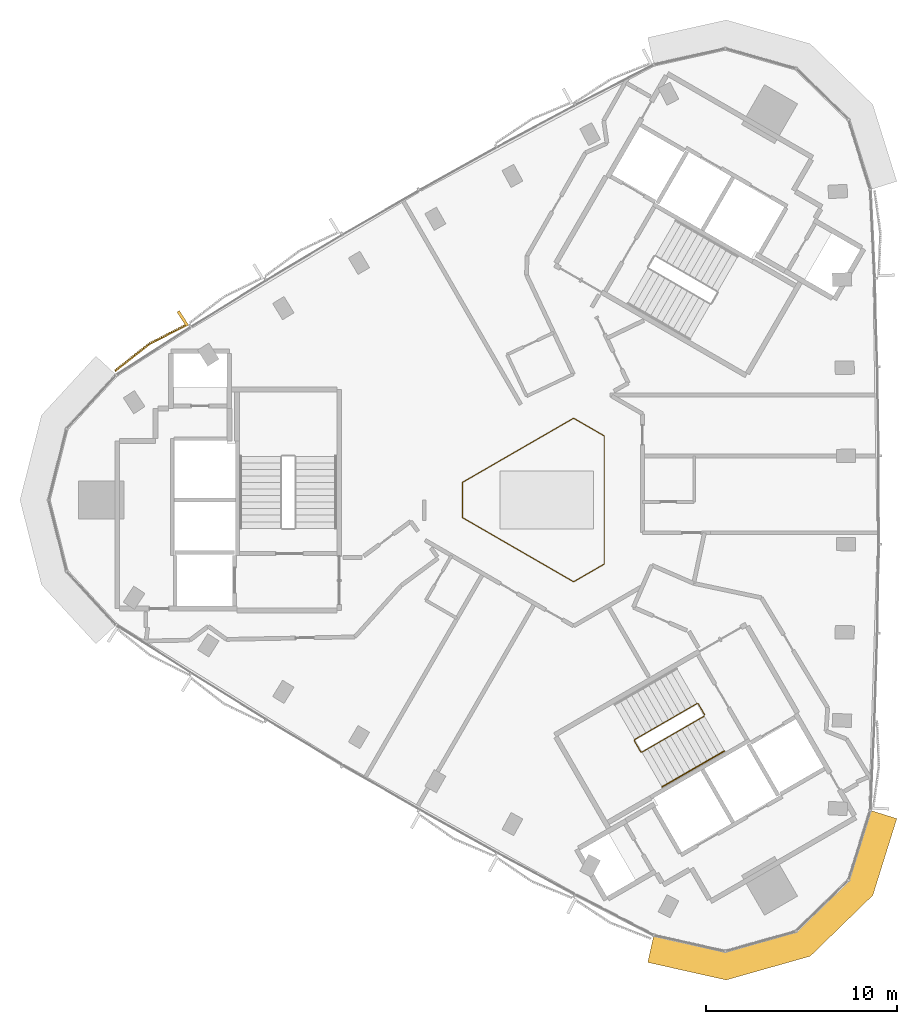
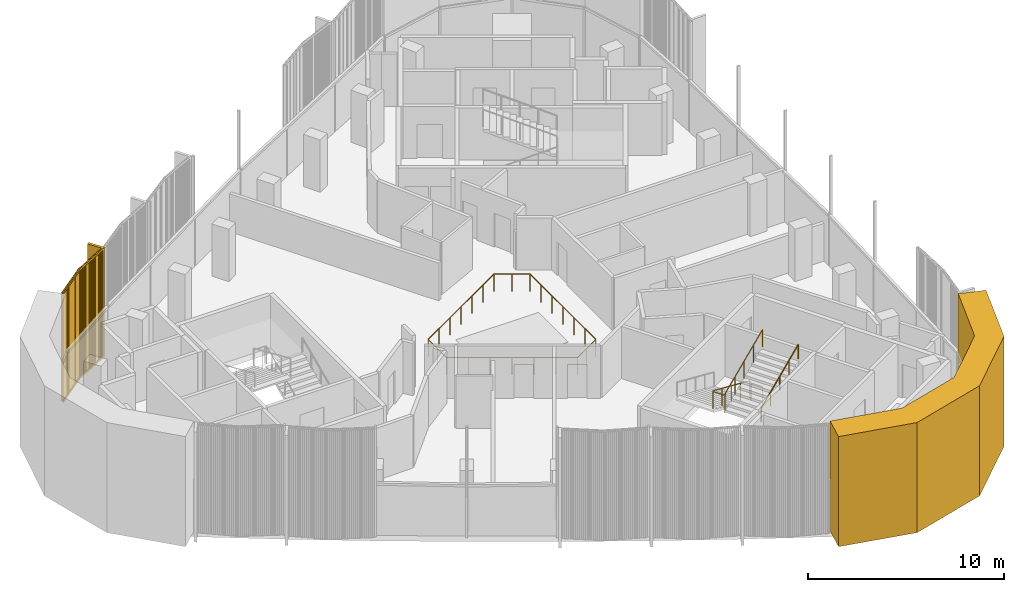
# One storey, part 11 of 12: 3 railings, 2 coverings.
"""IFC4 building model written with IfcOpenShell, lengths in metres."""

import ifcopenshell
import ifcopenshell.guid

model = None  # the IFC model being written
_history = None  # IfcOwnerHistory: only IFC2X3 demands one
_inside = {}  # id of a spatial element -> (the spatial element, [elements in it])
_under = {}  # id of a project, library or spatial element -> (it, [spatial elements below it])
_declared = {}  # id of a project -> (the project, [libraries it declares])
_typed = {}  # id of a type object -> (the type object, [elements of that type])
_made_of = {}  # id of a material, layer set ... -> (it, [elements and type objects made of it])


def new_model(schema):
    """Start an empty IFC model of exactly this schema.

    Asked for "IFC4X3", IfcOpenShell would pick the latest addendum, in which some entities
    have other attributes; the version numbers below select the first issue.
    IFC2X3 requires an IfcOwnerHistory on every rooted entity: one is made here for all.
    """
    global model, _history
    if schema == "IFC4X3":
        model = ifcopenshell.file(schema_version=(4, 3, 0, 0))
    else:
        model = ifcopenshell.file(schema=schema)
    _inside.clear()
    _under.clear()
    _declared.clear()
    _typed.clear()
    _made_of.clear()
    _history = None
    if model.schema == "IFC2X3":
        org = make("IfcOrganization", Name="unknown")
        user = make(
            "IfcPersonAndOrganization",
            ThePerson=make("IfcPerson", FamilyName="unknown"),
            TheOrganization=org,
        )
        app = make(
            "IfcApplication",
            ApplicationDeveloper=org,
            Version="unknown",
            ApplicationFullName="unknown",
            ApplicationIdentifier="unknown",
        )
        _history = make(
            "IfcOwnerHistory",
            OwningUser=user,
            OwningApplication=app,
            ChangeAction="ADDED",
            CreationDate=0,
        )
    return model


def make(cls, **values):
    """One entity of the class cls with the attributes given. An attribute that is None is left unset."""
    return model.create_entity(
        cls, **{name: value for name, value in values.items() if value is not None}
    )


def rooted(cls, **values):
    """An entity with a GlobalId (a new one), such as an element, a storey or a relation."""
    return make(cls, GlobalId=ifcopenshell.guid.new(), OwnerHistory=_history, **values)


def si_unit(unit_type, name, prefix=None):
    """IfcSIUnit, for example si_unit("LENGTHUNIT", "METRE", prefix="MILLI")."""
    return make("IfcSIUnit", UnitType=unit_type, Prefix=prefix, Name=name)


def assignment(units):
    """IfcUnitAssignment: the units of a project."""
    return None if units is None else make("IfcUnitAssignment", Units=units)


def point(xyz):
    """IfcCartesianPoint."""
    return None if xyz is None else make("IfcCartesianPoint", Coordinates=xyz)


def direction(xyz):
    """IfcDirection."""
    return None if xyz is None else make("IfcDirection", DirectionRatios=xyz)


def frame(location, z_axis=None, x_axis=None):
    """IfcAxis2Placement3D, a coordinate frame: its origin and axes. An axis left out is left unset."""
    return make(
        "IfcAxis2Placement3D",
        Location=point(location),
        Axis=direction(z_axis),
        RefDirection=direction(x_axis),
    )


def frame_2d(location, x_axis=None):
    """IfcAxis2Placement2D, a coordinate frame in the plane: its origin and x axis."""
    return make(
        "IfcAxis2Placement2D", Location=point(location), RefDirection=direction(x_axis)
    )


def origin():
    """The frame at (0, 0, 0) with its axes left unset."""
    return frame((0.0, 0.0, 0.0))


def origin_2d():
    """The frame at (0, 0) in the plane with its x axis left unset."""
    return frame_2d((0.0, 0.0))


def place(relative_to, where):
    """IfcLocalPlacement: puts the frame where relative to a parent placement (None: the world)."""
    return make(
        "IfcLocalPlacement", PlacementRelTo=relative_to, RelativePlacement=where
    )


def context(
    kind, dimensions, precision=None, world=None, true_north=None, identifier=None
):
    """IfcGeometricRepresentationContext, for example the 3D "Model" context."""
    return make(
        "IfcGeometricRepresentationContext",
        ContextIdentifier=identifier,
        ContextType=kind,
        CoordinateSpaceDimension=dimensions,
        Precision=precision,
        WorldCoordinateSystem=world,
        TrueNorth=true_north,
    )


def subcontext(parent, identifier, kind, view, scale=None):
    """IfcGeometricRepresentationSubContext, for example "Body" below "Model"."""
    return make(
        "IfcGeometricRepresentationSubContext",
        ContextIdentifier=identifier,
        ContextType=kind,
        ParentContext=parent,
        TargetScale=scale,
        TargetView=view,
    )


def project(units=None, contexts=None):
    """IfcProject with its units and contexts."""
    return rooted(
        "IfcProject",
        Name="project",
        RepresentationContexts=contexts,
        UnitsInContext=assignment(units),
    )


def spatial(cls, under=None, at=None, **own):
    """A site, building, storey or space (cls), placed at a placement, below another one or the project."""
    s = rooted(cls, ObjectPlacement=at, **own)
    if under is not None:
        _under.setdefault(under.id(), (under, []))[1].append(s)
    return s


def polyline(points):
    """IfcPolyline through the points."""
    return make("IfcPolyline", Points=[point(p) for p in points])


def profile(cls, at=None, kind="AREA", **sizes):
    """A parametric profile (cls). Its sizes go by their IFC names, for example OverallWidth=200.0."""
    return make(cls, ProfileType=kind, Position=at, **sizes)


def rectangle(**sizes):
    """IfcRectangleProfileDef."""
    return profile("IfcRectangleProfileDef", **sizes)


def circle(**sizes):
    """IfcCircleProfileDef."""
    return profile("IfcCircleProfileDef", **sizes)


def outline(outer, holes=None, kind="AREA"):
    """IfcArbitraryClosedProfileDef: a profile drawn as a closed curve; with holes, ...WithVoids."""
    if holes is None:
        return make("IfcArbitraryClosedProfileDef", ProfileType=kind, OuterCurve=outer)
    return make(
        "IfcArbitraryProfileDefWithVoids",
        ProfileType=kind,
        OuterCurve=outer,
        InnerCurves=holes,
    )


def extrude(swept, where, along, depth):
    """IfcExtrudedAreaSolid: the profile swept, set in the frame where, extruded along a direction by depth."""
    return make(
        "IfcExtrudedAreaSolid",
        SweptArea=swept,
        Position=where,
        ExtrudedDirection=direction(along),
        Depth=depth,
    )


def shape(context_of_items, identifier, shape_type, items):
    """IfcShapeRepresentation: the items that make up one representation, for example the "Body"."""
    return make(
        "IfcShapeRepresentation",
        ContextOfItems=context_of_items,
        RepresentationIdentifier=identifier,
        RepresentationType=shape_type,
        Items=items,
    )


def source(mapping_origin, context_of_items, identifier, shape_type, items):
    """IfcRepresentationMap: a shape defined once, which mapped items show again and again."""
    return make(
        "IfcRepresentationMap",
        MappingOrigin=mapping_origin,
        MappedRepresentation=shape(context_of_items, identifier, shape_type, items),
    )


def transform(
    local_origin,
    x_axis=None,
    y_axis=None,
    z_axis=None,
    scale=None,
    scale2=None,
    scale3=None,
    uniform=True,
):
    """IfcCartesianTransformationOperator3D, or its non-uniform kind. x_axis, y_axis, z_axis: its Axis1, 2, 3."""
    if uniform:
        return make(
            "IfcCartesianTransformationOperator3D",
            Axis1=direction(x_axis),
            Axis2=direction(y_axis),
            LocalOrigin=point(local_origin),
            Scale=scale,
            Axis3=direction(z_axis),
        )
    return make(
        "IfcCartesianTransformationOperator3DnonUniform",
        Axis1=direction(x_axis),
        Axis2=direction(y_axis),
        LocalOrigin=point(local_origin),
        Scale=scale,
        Axis3=direction(z_axis),
        Scale2=scale2,
        Scale3=scale3,
    )


def mapped(mapping_source, mapping_target):
    """IfcMappedItem: shows the shape of a source again, moved by a transform."""
    return make(
        "IfcMappedItem", MappingSource=mapping_source, MappingTarget=mapping_target
    )


def material(Name=None, Category=None):
    """IfcMaterial."""
    return make("IfcMaterial", Name=Name, Category=Category)


def layer(
    of_material, thickness, ventilated=None, Name=None, Category=None, Priority=None
):
    """IfcMaterialLayer: one layer of a wall or slab, of a material (None: an air gap)."""
    return make(
        "IfcMaterialLayer",
        Material=of_material,
        LayerThickness=thickness,
        IsVentilated=ventilated,
        Name=Name,
        Category=Category,
        Priority=Priority,
    )


def layer_set(layers, Name=None):
    """IfcMaterialLayerSet."""
    return make("IfcMaterialLayerSet", MaterialLayers=layers, LayerSetName=Name)


def made_of(thing, what):
    """Note that an element or type object is made of a material, layer set ...; save() writes the relation."""
    if what is not None:
        _made_of.setdefault(what.id(), (what, []))[1].append(thing)
    return thing


def type_object(cls, material=None, **own):
    """A type object (cls), such as IfcWallType, which elements share."""
    return made_of(rooted(cls, **own), material)


def element(
    cls,
    number,
    at=None,
    inside=None,
    cuts=None,
    type_object=None,
    material=None,
    context=None,
    identifier="Body",
    shape_type=None,
    held_by="IfcProductDefinitionShape",
    body=None,
    shapes=None,
    **own,
):
    """One element of the class cls, such as IfcWall. Its Tag is "e" and its number.

    at: its placement. inside: the storey or other place that contains it. cuts: it is an
    opening in that element (IfcRelVoidsElement). A single representation is given by context,
    identifier, shape_type and body (its items); several are given by shapes. held_by: the class
    of the entity that holds the representations. save() writes the other relations.
    """
    e = rooted(cls, Tag="e%d" % number, ObjectPlacement=at, **own)
    if body is not None:
        shapes = [shape(context, identifier, shape_type, body)]
    if shapes is not None:
        e.Representation = make(held_by, Representations=shapes)
    if inside is not None:
        _inside.setdefault(inside.id(), (inside, []))[1].append(e)
    if cuts is not None:
        rooted(
            "IfcRelVoidsElement", RelatingBuildingElement=cuts, RelatedOpeningElement=e
        )
    if type_object is not None:
        _typed.setdefault(type_object.id(), (type_object, []))[1].append(e)
    return made_of(e, material)


def aggregate(whole, parts):
    """IfcRelAggregates: a whole, such as a stair, and the parts it consists of."""
    return rooted("IfcRelAggregates", RelatingObject=whole, RelatedObjects=parts)


def save(model, path):
    """Write the relations noted so far, then the file.

    IfcRelAggregates (storeys below a building ...), IfcRelContainedInSpatialStructure (elements
    in a storey), IfcRelDefinesByType, IfcRelAssociatesMaterial and IfcRelDeclares: one each for
    every whole, place, type object, material and project.
    """
    for whole, parts in _under.values():
        aggregate(whole, parts)
    for where, things in _inside.values():
        rooted(
            "IfcRelContainedInSpatialStructure",
            RelatedElements=things,
            RelatingStructure=where,
        )
    for kind, things in _typed.values():
        rooted("IfcRelDefinesByType", RelatedObjects=things, RelatingType=kind)
    for what, things in _made_of.values():
        rooted("IfcRelAssociatesMaterial", RelatedObjects=things, RelatingMaterial=what)
    for by, libraries in _declared.values():
        rooted("IfcRelDeclares", RelatingContext=by, RelatedDefinitions=libraries)
    model.write(path)


model = new_model("IFC4")

# Units and contexts
model_context = context("Model", 3, precision=1e-05, world=origin(), true_north=direction((0.0, 1.0)))
body_context = subcontext(model_context, "Body", "Model", "MODEL_VIEW")
ifc_project = project(units=[si_unit("LENGTHUNIT", "METRE"), si_unit("AREAUNIT", "SQUARE_METRE"), si_unit("VOLUMEUNIT", "CUBIC_METRE"), si_unit("PLANEANGLEUNIT", "RADIAN"), si_unit("MASSUNIT", "GRAM", prefix="KILO")], contexts=[model_context])

# Site, building, storey
site_placement = place(None, origin())
site = spatial("IfcSite", under=ifc_project, at=site_placement, CompositionType="ELEMENT")
building_placement = place(site_placement, origin())
building = spatial("IfcBuilding", under=site, at=building_placement, Name="Tamra Quay Hotel Tower", CompositionType="ELEMENT")
storey_placement = place(building_placement, frame((0.0, 0.0, 262.199951171875)))
storey = spatial("IfcBuildingStorey", under=building, at=storey_placement, Name="L66", CompositionType="ELEMENT", Elevation=262.199951171875)

# Covering
ifc_material_1 = material(Name="Precast concrete M60 terracotta-coloured", Category="masonry")
ifc_layer = layer(ifc_material_1, 1.449951171875)
ifc_layer_set = layer_set([ifc_layer], Name="CORNER PIER PANEL")
covering_type_1 = type_object("IfcCoveringType", Name="CORNER PIER PANEL", PredefinedType="CLADDING", material=ifc_layer_set)
covering_1_placement = place(storey_placement, origin())
element("IfcCovering", 1, at=covering_1_placement, inside=storey, type_object=covering_type_1, Name="Corner pier L66.south-west", PredefinedType="CLADDING", context=body_context, shape_type="SweptSolid", body=[
    extrude(outline(polyline([(5.58837890625, -22.740966796875), (5.271240234375, -24.15576171875), (9.366943359375, -25.07421875), (13.759521484375, -23.832275390625), (17.031494140625, -20.649169921875), (18.283935546875, -16.642822265625), (16.89990234375, -16.210205078125), (15.757080078125, -19.865966796875), (13.01171875, -22.536865234375), (9.325927734375, -23.5791015625), (5.58837890625, -22.740966796875)])), origin(), (0.0, 0.0, 1.0), 6.85009765625),
])

# Railings
ifc_material_2 = material(Name="Guard atrium edge 1100")
railing_type_1 = type_object("IfcRailingType", Name="Guard atrium edge 1100", PredefinedType="GUARDRAIL", material=ifc_material_2)
railing_1_placement = place(storey_placement, frame((3.0, -3.34912109375, 0.0)))
element("IfcRailing", 2, at=railing_1_placement, inside=storey, type_object=railing_type_1, Name="G-A", PredefinedType="GUARDRAIL", context=body_context, shape_type="SweptSolid", body=[
    extrude(circle(Radius=0.02392578125, at=origin_2d()), frame((0.0, 0.0, 1.076171875), z_axis=(-0.866251590862, -0.499608027687, 0.0), x_axis=(0.499608027687, -0.866251590862, 0.0)), (0.0, 0.0, 1.0), 1.84716796875),
    extrude(circle(Radius=0.02392578125, at=origin_2d()), frame((-1.60009765625, -0.9228515625, 1.076171875), z_axis=(-0.866065387416, 0.499930739924, 0.0), x_axis=(-0.499930739924, -0.866065387416, 0.0)), (0.0, 0.0, 1.0), 6.69677734375),
    extrude(circle(Radius=0.02392578125, at=origin_2d()), frame((-7.39990234375, 2.425048828125, 1.076171875), z_axis=(0.0, 1.0, 0.0), x_axis=(-1.0, 0.0, 0.0)), (0.0, 0.0, 1.0), 1.84814453125),
    extrude(circle(Radius=0.02392578125, at=origin_2d()), frame((-7.39990234375, 4.273193359375, 1.076171875), z_axis=(0.866065387416, 0.499930739924, 0.0), x_axis=(-0.499930739924, 0.866065387416, 0.0)), (0.0, 0.0, 1.0), 6.69677734375),
    extrude(circle(Radius=0.02392578125, at=origin_2d()), frame((-1.60009765625, 7.62109375, 1.076171875), z_axis=(0.866251590862, -0.499608027687, 0.0), x_axis=(0.499608027687, 0.866251590862, 0.0)), (0.0, 0.0, 1.0), 1.84716796875),
    extrude(circle(Radius=0.02392578125, at=origin_2d()), frame((0.0, 6.6982421875, 1.076171875), z_axis=(0.0, -1.0, 0.0), x_axis=(1.0, 0.0, 0.0)), (0.0, 0.0, 1.0), 6.6982421875),
    extrude(circle(Radius=0.02099609375, at=origin_2d()), origin(), (0.0, 0.0, 1.0), 1.052001953125),
    extrude(circle(Radius=0.02099609375, at=origin_2d()), frame((-0.800048828125, -0.46142578125, 0.0)), (0.0, 0.0, 1.0), 1.052001953125),
    extrude(circle(Radius=0.02099609375, at=origin_2d()), frame((-1.60009765625, -0.9228515625, 0.0)), (0.0, 0.0, 1.0), 1.052001953125),
    extrude(circle(Radius=0.02099609375, at=origin_2d()), frame((-2.566650390625, -0.36474609375, 0.0)), (0.0, 0.0, 1.0), 1.052001953125),
    extrude(circle(Radius=0.02099609375, at=origin_2d()), frame((-3.533447265625, 0.193115234375, 0.0)), (0.0, 0.0, 1.0), 1.052001953125),
    extrude(circle(Radius=0.02099609375, at=origin_2d()), frame((-4.5, 0.7509765625, 0.0)), (0.0, 0.0, 1.0), 1.052001953125),
    extrude(circle(Radius=0.02099609375, at=origin_2d()), frame((-5.466552734375, 1.30908203125, 0.0)), (0.0, 0.0, 1.0), 1.052001953125),
    extrude(circle(Radius=0.02099609375, at=origin_2d()), frame((-6.433349609375, 1.8671875, 0.0)), (0.0, 0.0, 1.0), 1.052001953125),
    extrude(circle(Radius=0.02099609375, at=origin_2d()), frame((-7.39990234375, 2.425048828125, 0.0)), (0.0, 0.0, 1.0), 1.052001953125),
    extrude(circle(Radius=0.02099609375, at=origin_2d()), frame((-7.39990234375, 3.34912109375, 0.0)), (0.0, 0.0, 1.0), 1.052001953125),
    extrude(circle(Radius=0.02099609375, at=origin_2d()), frame((-7.39990234375, 4.273193359375, 0.0)), (0.0, 0.0, 1.0), 1.052001953125),
    extrude(circle(Radius=0.02099609375, at=origin_2d()), frame((-6.433349609375, 4.8310546875, 0.0)), (0.0, 0.0, 1.0), 1.052001953125),
    extrude(circle(Radius=0.02099609375, at=origin_2d()), frame((-5.466552734375, 5.38916015625, 0.0)), (0.0, 0.0, 1.0), 1.052001953125),
    extrude(circle(Radius=0.02099609375, at=origin_2d()), frame((-4.5, 5.947265625, 0.0)), (0.0, 0.0, 1.0), 1.052001953125),
    extrude(circle(Radius=0.02099609375, at=origin_2d()), frame((-3.533447265625, 6.505126953125, 0.0)), (0.0, 0.0, 1.0), 1.052001953125),
    extrude(circle(Radius=0.02099609375, at=origin_2d()), frame((-2.566650390625, 7.06298828125, 0.0)), (0.0, 0.0, 1.0), 1.052001953125),
    extrude(circle(Radius=0.02099609375, at=origin_2d()), frame((-1.60009765625, 7.62109375, 0.0)), (0.0, 0.0, 1.0), 1.052001953125),
    extrude(circle(Radius=0.02099609375, at=origin_2d()), frame((-0.800048828125, 7.15966796875, 0.0)), (0.0, 0.0, 1.0), 1.052001953125),
    extrude(circle(Radius=0.02099609375, at=origin_2d()), frame((0.0, 6.6982421875, 0.0)), (0.0, 0.0, 1.0), 1.052001953125),
    extrude(circle(Radius=0.02099609375, at=origin_2d()), frame((0.0, 5.581787109375, 0.0)), (0.0, 0.0, 1.0), 1.052001953125),
    extrude(circle(Radius=0.02099609375, at=origin_2d()), frame((0.0, 4.465576171875, 0.0)), (0.0, 0.0, 1.0), 1.052001953125),
    extrude(circle(Radius=0.02099609375, at=origin_2d()), frame((0.0, 3.34912109375, 0.0)), (0.0, 0.0, 1.0), 1.052001953125),
    extrude(circle(Radius=0.02099609375, at=origin_2d()), frame((0.0, 2.232666015625, 0.0)), (0.0, 0.0, 1.0), 1.052001953125),
    extrude(circle(Radius=0.02099609375, at=origin_2d()), frame((0.0, 1.116455078125, 0.0)), (0.0, 0.0, 1.0), 1.052001953125),
])
ifc_material_3 = material(Name="Stair guard 1100")
railing_type_2 = type_object("IfcRailingType", Name="Stair guard 1100", PredefinedType="GUARDRAIL", material=ifc_material_3)
railing_2_placement = place(storey_placement, frame((8.245849609375, -11.221923828125, 0.0)))
element("IfcRailing", 3, at=railing_2_placement, inside=storey, type_object=railing_type_2, Name="GR", PredefinedType="GUARDRAIL", context=body_context, shape_type="SweptSolid", body=[
    extrude(circle(Radius=0.02392578125, at=origin_2d()), frame((0.0, 0.0, 1.076171875), z_axis=(-0.500043078269, 0.866000531106, 0.0), x_axis=(-0.866000531106, -0.500043078269, 0.0)), (0.0, 0.0, 1.0), 0.6591796875),
    extrude(circle(Radius=0.02392578125, at=origin_2d()), frame((-0.32958984375, 0.57080078125, 1.076171875), z_axis=(-0.411831509231, 0.110312011401, 0.90455849349), x_axis=(-0.258736085224, -0.965948051503, 0.0)), (0.0, 0.0, 1.0), 0.166015625),
    extrude(circle(Radius=0.02392578125, at=origin_2d()), frame((-0.39794921875, 0.589111328125, 1.22607421875), z_axis=(-0.793100512587, -0.457912285461, 0.401631567183), x_axis=(0.500012686397, -0.866018079166, 0.0)), (0.0, 0.0, 1.0), 4.10791015625),
    extrude(circle(Radius=0.02392578125, at=origin_2d()), frame((-3.656005859375, -1.2919921875, 2.8759765625), z_axis=(-0.256368644879, -0.966579080015, 0.0), x_axis=(0.966579080015, -0.256368644879, 0.0)), (0.0, 0.0, 1.0), 0.070556640625),
    extrude(circle(Radius=0.02392578125, at=origin_2d()), frame((-3.674072265625, -1.360107421875, 2.8759765625), z_axis=(0.499765215335, -0.866160914346, 0.0), x_axis=(0.866160914346, 0.499765215335, 0.0)), (0.0, 0.0, 1.0), 0.658935546875),
    extrude(circle(Radius=0.02392578125, at=origin_2d()), frame((-3.3447265625, -1.930908203125, 2.8759765625), z_axis=(0.41238007866, -0.110458949641, 0.904290601062), x_axis=(0.258736085224, 0.965948051503, 0.0)), (0.0, 0.0, 1.0), 0.165771484375),
    extrude(circle(Radius=0.02392578125, at=origin_2d()), frame((-3.2763671875, -1.94921875, 3.02587890625), z_axis=(0.793081581205, 0.457901355053, 0.401681409319), x_axis=(-0.500012686397, 0.866018079166, 0.0)), (0.0, 0.0, 1.0), 4.108154296875),
    extrude(circle(Radius=0.02099609375, at=origin_2d()), origin(), (0.0, 0.0, 1.0), 1.052001953125),
    extrude(circle(Radius=0.02099609375, at=origin_2d()), frame((-0.32958984375, 0.57080078125, 0.0)), (0.0, 0.0, 1.0), 1.052001953125),
    extrude(circle(Radius=0.02099609375, at=origin_2d()), frame((-0.39794921875, 0.589111328125, 0.150146484375)), (0.0, 0.0, 1.0), 1.052001953125),
    extrude(circle(Radius=0.02099609375, at=origin_2d()), frame((-1.21240234375, 0.118896484375, 0.5625)), (0.0, 0.0, 1.0), 1.052001953125),
    extrude(circle(Radius=0.02099609375, at=origin_2d()), frame((-2.02685546875, -0.3515625, 0.97509765625)), (0.0, 0.0, 1.0), 1.052001953125),
    extrude(circle(Radius=0.02099609375, at=origin_2d()), frame((-2.841552734375, -0.82177734375, 1.3876953125)), (0.0, 0.0, 1.0), 1.052001953125),
    extrude(circle(Radius=0.02099609375, at=origin_2d()), frame((-3.656005859375, -1.2919921875, 1.800048828125)), (0.0, 0.0, 1.0), 1.052001953125),
    extrude(circle(Radius=0.02099609375, at=origin_2d()), frame((-3.674072265625, -1.360107421875, 1.800048828125)), (0.0, 0.0, 1.0), 1.052001953125),
    extrude(circle(Radius=0.02099609375, at=origin_2d()), frame((-3.3447265625, -1.930908203125, 1.800048828125)), (0.0, 0.0, 1.0), 1.052001953125),
    extrude(circle(Radius=0.02099609375, at=origin_2d()), frame((-3.2763671875, -1.94921875, 1.949951171875)), (0.0, 0.0, 1.0), 1.052001953125),
    extrude(circle(Radius=0.02099609375, at=origin_2d()), frame((-2.4619140625, -1.47900390625, 2.362548828125)), (0.0, 0.0, 1.0), 1.052001953125),
    extrude(circle(Radius=0.02099609375, at=origin_2d()), frame((-1.6474609375, -1.0087890625, 2.77490234375)), (0.0, 0.0, 1.0), 1.052001953125),
    extrude(circle(Radius=0.02099609375, at=origin_2d()), frame((-0.832763671875, -0.538330078125, 3.1875)), (0.0, 0.0, 1.0), 1.052001953125),
    extrude(circle(Radius=0.02099609375, at=origin_2d()), frame((-0.018310546875, -0.068115234375, 3.60009765625)), (0.0, 0.0, 1.0), 1.052001953125),
])
ifc_material_4 = material(Name="Stair handrail 900")
railing_type_3 = type_object("IfcRailingType", Name="Stair handrail 900", PredefinedType="HANDRAIL", material=ifc_material_4)
railing_3_placement = place(storey_placement, frame((6.01953125, -14.98974609375, 1.949951171875)))
element("IfcRailing", 4, at=railing_3_placement, inside=storey, type_object=railing_type_3, Name="HR", PredefinedType="HANDRAIL", context=body_context, shape_type="SweptSolid", body=[
    extrude(circle(Radius=0.02392578125, at=origin_2d()), frame((0.0, 0.0, 0.8759765625), z_axis=(0.793081112945, 0.457875966286, 0.40171127416), x_axis=(-0.499992114976, 0.866029956157, 0.0)), (0.0, 0.0, 1.0), 4.10791015625),
    extrude(circle(Radius=0.02099609375, at=origin_2d()), origin(), (0.0, 0.0, 1.0), 0.851806640625),
    extrude(circle(Radius=0.02099609375, at=origin_2d()), frame((0.814453125, 0.47021484375, 0.41259765625)), (0.0, 0.0, 1.0), 0.851806640625),
    extrude(circle(Radius=0.02099609375, at=origin_2d()), frame((1.62890625, 0.9404296875, 0.8251953125)), (0.0, 0.0, 1.0), 0.851806640625),
    extrude(circle(Radius=0.02099609375, at=origin_2d()), frame((2.443359375, 1.41064453125, 1.237548828125)), (0.0, 0.0, 1.0), 0.851806640625),
    extrude(circle(Radius=0.02099609375, at=origin_2d()), frame((3.2578125, 1.880859375, 1.650146484375)), (0.0, 0.0, 1.0), 0.851806640625),
])

# Covering
ifc_material_5 = material(Name="Terracotta baguette extruded", Category="masonry")
covering_type_2 = type_object("IfcCoveringType", Name="BAGUETTE SCREEN NW-V H6850", PredefinedType="USERDEFINED", material=ifc_material_5)
shared_shape = source(origin(), body_context, "Body", "SweptSolid", [
    extrude(rectangle(XDim=2.282958984375, YDim=0.06005859375, at=frame_2d((1.1416015625, 0.030029296875))), frame((-2.2783203125, -0.0576171875, -0.1201171875), z_axis=(0.0, 0.0, 1.0), x_axis=(0.995396198367, -0.09584575252, 0.0)), (0.0, 0.0, 1.0), 0.1201171875),
    extrude(rectangle(XDim=2.282958984375, YDim=0.06005859375, at=frame_2d((1.1416015625, 0.030029296875))), frame((-2.2783203125, -0.0576171875, -6.85009765625), z_axis=(0.0, 0.0, 1.0), x_axis=(0.995396198367, -0.09584575252, 0.0)), (0.0, 0.0, 1.0), 0.1201171875),
    extrude(rectangle(XDim=0.070068359375, YDim=0.10009765625, at=frame_2d((0.03515625, 0.050048828125))), frame((-2.258056640625, -0.1328125, -6.7900390625)), (0.0, 0.0, 1.0), 6.72998046875),
    extrude(rectangle(XDim=0.070068359375, YDim=0.10009765625, at=frame_2d((0.03515625, 0.050048828125))), frame((-2.1591796875, -0.142333984375, -6.7900390625)), (0.0, 0.0, 1.0), 6.72998046875),
    extrude(rectangle(XDim=0.070068359375, YDim=0.10009765625, at=frame_2d((0.03515625, 0.050048828125))), frame((-2.060546875, -0.15185546875, -6.7900390625)), (0.0, 0.0, 1.0), 6.72998046875),
    extrude(rectangle(XDim=0.070068359375, YDim=0.10009765625, at=frame_2d((0.03515625, 0.050048828125))), frame((-1.961669921875, -0.161376953125, -6.7900390625)), (0.0, 0.0, 1.0), 6.72998046875),
    extrude(rectangle(XDim=0.070068359375, YDim=0.10009765625, at=frame_2d((0.03515625, 0.050048828125))), frame((-1.86279296875, -0.1708984375, -6.7900390625)), (0.0, 0.0, 1.0), 6.72998046875),
    extrude(rectangle(XDim=0.070068359375, YDim=0.10009765625, at=frame_2d((0.03515625, 0.050048828125))), frame((-1.76416015625, -0.180419921875, -6.7900390625)), (0.0, 0.0, 1.0), 6.72998046875),
    extrude(rectangle(XDim=0.070068359375, YDim=0.10009765625, at=frame_2d((0.03515625, 0.050048828125))), frame((-1.665283203125, -0.18994140625, -6.7900390625)), (0.0, 0.0, 1.0), 6.72998046875),
    extrude(rectangle(XDim=0.070068359375, YDim=0.10009765625, at=frame_2d((0.03515625, 0.050048828125))), frame((-1.56640625, -0.199462890625, -6.7900390625)), (0.0, 0.0, 1.0), 6.72998046875),
    extrude(rectangle(XDim=0.070068359375, YDim=0.10009765625, at=frame_2d((0.03515625, 0.050048828125))), frame((-1.4677734375, -0.208984375, -6.7900390625)), (0.0, 0.0, 1.0), 6.72998046875),
    extrude(rectangle(XDim=0.070068359375, YDim=0.10009765625, at=frame_2d((0.03515625, 0.050048828125))), frame((-1.368896484375, -0.21826171875, -6.7900390625)), (0.0, 0.0, 1.0), 6.72998046875),
    extrude(rectangle(XDim=0.070068359375, YDim=0.10009765625, at=frame_2d((0.03515625, 0.050048828125))), frame((-1.27001953125, -0.227783203125, -6.7900390625)), (0.0, 0.0, 1.0), 6.72998046875),
    extrude(rectangle(XDim=0.070068359375, YDim=0.10009765625, at=frame_2d((0.03515625, 0.050048828125))), frame((-1.171142578125, -0.2373046875, -6.7900390625)), (0.0, 0.0, 1.0), 6.72998046875),
    extrude(rectangle(XDim=0.070068359375, YDim=0.10009765625, at=frame_2d((0.03515625, 0.050048828125))), frame((-1.072509765625, -0.246826171875, -6.7900390625)), (0.0, 0.0, 1.0), 6.72998046875),
    extrude(rectangle(XDim=0.070068359375, YDim=0.10009765625, at=frame_2d((0.03515625, 0.050048828125))), frame((-0.9736328125, -0.25634765625, -6.7900390625)), (0.0, 0.0, 1.0), 6.72998046875),
    extrude(rectangle(XDim=0.070068359375, YDim=0.10009765625, at=frame_2d((0.03515625, 0.050048828125))), frame((-0.874755859375, -0.265869140625, -6.7900390625)), (0.0, 0.0, 1.0), 6.72998046875),
    extrude(rectangle(XDim=0.070068359375, YDim=0.10009765625, at=frame_2d((0.03515625, 0.050048828125))), frame((-0.776123046875, -0.275390625, -6.7900390625)), (0.0, 0.0, 1.0), 6.72998046875),
    extrude(rectangle(XDim=0.070068359375, YDim=0.10009765625, at=frame_2d((0.03515625, 0.050048828125))), frame((-0.67724609375, -0.284912109375, -6.7900390625)), (0.0, 0.0, 1.0), 6.72998046875),
    extrude(rectangle(XDim=0.070068359375, YDim=0.10009765625, at=frame_2d((0.03515625, 0.050048828125))), frame((-0.578369140625, -0.29443359375, -6.7900390625)), (0.0, 0.0, 1.0), 6.72998046875),
    extrude(rectangle(XDim=0.070068359375, YDim=0.10009765625, at=frame_2d((0.03515625, 0.050048828125))), frame((-0.479736328125, -0.303955078125, -6.7900390625)), (0.0, 0.0, 1.0), 6.72998046875),
    extrude(rectangle(XDim=0.070068359375, YDim=0.10009765625, at=frame_2d((0.03515625, 0.050048828125))), frame((-0.380859375, -0.3134765625, -6.7900390625)), (0.0, 0.0, 1.0), 6.72998046875),
    extrude(rectangle(XDim=0.070068359375, YDim=0.10009765625, at=frame_2d((0.03515625, 0.050048828125))), frame((-0.281982421875, -0.322998046875, -6.7900390625)), (0.0, 0.0, 1.0), 6.72998046875),
    extrude(rectangle(XDim=0.070068359375, YDim=0.10009765625, at=frame_2d((0.03515625, 0.050048828125))), frame((-0.18310546875, -0.33251953125, -6.7900390625)), (0.0, 0.0, 1.0), 6.72998046875),
    extrude(rectangle(XDim=0.070068359375, YDim=0.10009765625, at=frame_2d((0.03515625, 0.050048828125))), frame((-0.08447265625, -0.342041015625, -6.7900390625)), (0.0, 0.0, 1.0), 6.72998046875),
    extrude(rectangle(XDim=2.282958984375, YDim=0.06005859375, at=frame_2d((1.1416015625, 0.030029296875))), frame((0.005859375, -0.276611328125, -0.1201171875), z_axis=(0.0, 0.0, 1.0), x_axis=(0.995396198367, 0.09584575252, 0.0)), (0.0, 0.0, 1.0), 0.1201171875),
    extrude(rectangle(XDim=2.282958984375, YDim=0.06005859375, at=frame_2d((1.1416015625, 0.030029296875))), frame((0.005859375, -0.276611328125, -6.85009765625), z_axis=(0.0, 0.0, 1.0), x_axis=(0.995396198367, 0.09584575252, 0.0)), (0.0, 0.0, 1.0), 0.1201171875),
    extrude(rectangle(XDim=0.070068359375, YDim=0.10009765625, at=frame_2d((0.03515625, 0.050048828125))), frame((0.014404296875, -0.342041015625, -6.7900390625)), (0.0, 0.0, 1.0), 6.72998046875),
    extrude(rectangle(XDim=0.070068359375, YDim=0.10009765625, at=frame_2d((0.03515625, 0.050048828125))), frame((0.11328125, -0.33251953125, -6.7900390625)), (0.0, 0.0, 1.0), 6.72998046875),
    extrude(rectangle(XDim=0.070068359375, YDim=0.10009765625, at=frame_2d((0.03515625, 0.050048828125))), frame((0.2119140625, -0.322998046875, -6.7900390625)), (0.0, 0.0, 1.0), 6.72998046875),
    extrude(rectangle(XDim=0.070068359375, YDim=0.10009765625, at=frame_2d((0.03515625, 0.050048828125))), frame((0.310791015625, -0.3134765625, -6.7900390625)), (0.0, 0.0, 1.0), 6.72998046875),
    extrude(rectangle(XDim=0.070068359375, YDim=0.10009765625, at=frame_2d((0.03515625, 0.050048828125))), frame((0.40966796875, -0.303955078125, -6.7900390625)), (0.0, 0.0, 1.0), 6.72998046875),
    extrude(rectangle(XDim=0.070068359375, YDim=0.10009765625, at=frame_2d((0.03515625, 0.050048828125))), frame((0.50830078125, -0.29443359375, -6.7900390625)), (0.0, 0.0, 1.0), 6.72998046875),
    extrude(rectangle(XDim=0.070068359375, YDim=0.10009765625, at=frame_2d((0.03515625, 0.050048828125))), frame((0.607177734375, -0.284912109375, -6.7900390625)), (0.0, 0.0, 1.0), 6.72998046875),
    extrude(rectangle(XDim=0.070068359375, YDim=0.10009765625, at=frame_2d((0.03515625, 0.050048828125))), frame((0.7060546875, -0.275390625, -6.7900390625)), (0.0, 0.0, 1.0), 6.72998046875),
    extrude(rectangle(XDim=0.070068359375, YDim=0.10009765625, at=frame_2d((0.03515625, 0.050048828125))), frame((0.804931640625, -0.265869140625, -6.7900390625)), (0.0, 0.0, 1.0), 6.72998046875),
    extrude(rectangle(XDim=0.070068359375, YDim=0.10009765625, at=frame_2d((0.03515625, 0.050048828125))), frame((0.903564453125, -0.25634765625, -6.7900390625)), (0.0, 0.0, 1.0), 6.72998046875),
    extrude(rectangle(XDim=0.070068359375, YDim=0.10009765625, at=frame_2d((0.03515625, 0.050048828125))), frame((1.00244140625, -0.246826171875, -6.7900390625)), (0.0, 0.0, 1.0), 6.72998046875),
    extrude(rectangle(XDim=0.070068359375, YDim=0.10009765625, at=frame_2d((0.03515625, 0.050048828125))), frame((1.101318359375, -0.2373046875, -6.7900390625)), (0.0, 0.0, 1.0), 6.72998046875),
    extrude(rectangle(XDim=0.070068359375, YDim=0.10009765625, at=frame_2d((0.03515625, 0.050048828125))), frame((1.199951171875, -0.227783203125, -6.7900390625)), (0.0, 0.0, 1.0), 6.72998046875),
    extrude(rectangle(XDim=0.070068359375, YDim=0.10009765625, at=frame_2d((0.03515625, 0.050048828125))), frame((1.298828125, -0.21826171875, -6.7900390625)), (0.0, 0.0, 1.0), 6.72998046875),
    extrude(rectangle(XDim=0.070068359375, YDim=0.10009765625, at=frame_2d((0.03515625, 0.050048828125))), frame((1.397705078125, -0.208984375, -6.7900390625)), (0.0, 0.0, 1.0), 6.72998046875),
    extrude(rectangle(XDim=0.070068359375, YDim=0.10009765625, at=frame_2d((0.03515625, 0.050048828125))), frame((1.49658203125, -0.199462890625, -6.7900390625)), (0.0, 0.0, 1.0), 6.72998046875),
    extrude(rectangle(XDim=0.070068359375, YDim=0.10009765625, at=frame_2d((0.03515625, 0.050048828125))), frame((1.59521484375, -0.18994140625, -6.7900390625)), (0.0, 0.0, 1.0), 6.72998046875),
    extrude(rectangle(XDim=0.070068359375, YDim=0.10009765625, at=frame_2d((0.03515625, 0.050048828125))), frame((1.694091796875, -0.180419921875, -6.7900390625)), (0.0, 0.0, 1.0), 6.72998046875),
    extrude(rectangle(XDim=0.070068359375, YDim=0.10009765625, at=frame_2d((0.03515625, 0.050048828125))), frame((1.79296875, -0.1708984375, -6.7900390625)), (0.0, 0.0, 1.0), 6.72998046875),
    extrude(rectangle(XDim=0.070068359375, YDim=0.10009765625, at=frame_2d((0.03515625, 0.050048828125))), frame((1.8916015625, -0.161376953125, -6.7900390625)), (0.0, 0.0, 1.0), 6.72998046875),
    extrude(rectangle(XDim=0.070068359375, YDim=0.10009765625, at=frame_2d((0.03515625, 0.050048828125))), frame((1.990478515625, -0.15185546875, -6.7900390625)), (0.0, 0.0, 1.0), 6.72998046875),
    extrude(rectangle(XDim=0.070068359375, YDim=0.10009765625, at=frame_2d((0.03515625, 0.050048828125))), frame((2.08935546875, -0.142333984375, -6.7900390625)), (0.0, 0.0, 1.0), 6.72998046875),
    extrude(rectangle(XDim=0.070068359375, YDim=0.10009765625, at=frame_2d((0.03515625, 0.050048828125))), frame((2.18798828125, -0.1328125, -6.7900390625)), (0.0, 0.0, 1.0), 6.72998046875),
    extrude(rectangle(XDim=0.14990234375, YDim=0.902099609375, at=frame_2d((0.074951171875, 0.451171875))), frame((-2.2724609375, -0.89990234375, -6.85009765625)), (0.0, 0.0, 1.0), 6.85009765625),
])
covering_2_placement = place(storey_placement, frame((-20.62353515625, 7.914794921875, 6.85009765625), z_axis=(0.0, 0.0, 1.0), x_axis=(-0.841664986899, -0.540000046137, 0.0)))
element("IfcCovering", 5, at=covering_2_placement, inside=storey, type_object=covering_type_2, Name="Baguette screen L66.NW.f06", ObjectType="BAGUETTE SCREEN", PredefinedType="USERDEFINED", context=body_context, shape_type="MappedRepresentation", body=[
    mapped(shared_shape, transform((0.0, 0.0, 0.0), scale=1.0)),
])

save(model, "model.ifc")
